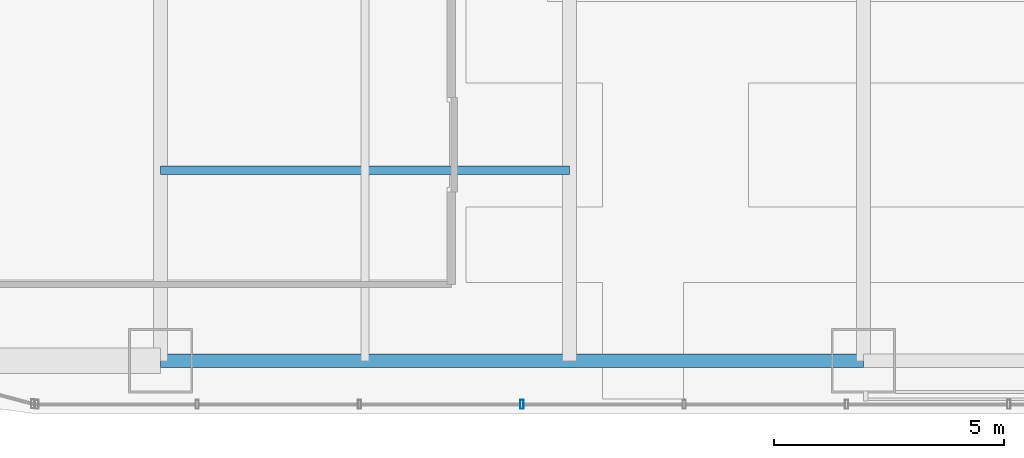
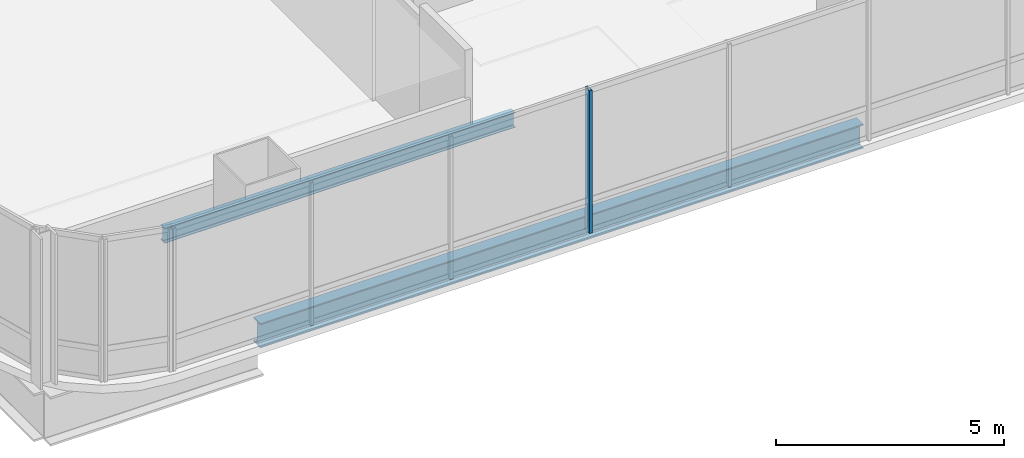
# One storey, part 3 of 38: 2 beams, 1 member, 1 element without a shape of its own.
"""IFC4 building model written with IfcOpenShell, lengths in metres."""

from ifc_helpers import new_model, si_unit, direction, frame, origin, origin_2d, place, context, subcontext, project, spatial, hollow_rectangle, i_section, extrude, material, material_profile, profile_set, type_object, element, aggregate, save


model = new_model("IFC4")

# Units and contexts
model_context = context("Model", 3, precision=1e-05, world=origin(), true_north=direction((0.0, 1.0)))
body_context = subcontext(model_context, "Body", "Model", "MODEL_VIEW")
ifc_project = project(units=[si_unit("LENGTHUNIT", "METRE"), si_unit("AREAUNIT", "SQUARE_METRE"), si_unit("VOLUMEUNIT", "CUBIC_METRE"), si_unit("PLANEANGLEUNIT", "RADIAN"), si_unit("MASSUNIT", "GRAM", prefix="KILO")], contexts=[model_context])

# Site, building, storey
site_placement = place(None, origin())
site = spatial("IfcSite", under=ifc_project, at=site_placement, CompositionType="ELEMENT")
building_placement = place(site_placement, origin())
building = spatial("IfcBuilding", under=site, at=building_placement, Name="Punatoya Terracotta Tower", CompositionType="ELEMENT")
storey_placement = place(building_placement, frame((0.0, 0.0, 147.89990234375)))
storey = spatial("IfcBuildingStorey", under=building, at=storey_placement, Name="L34", CompositionType="ELEMENT", Elevation=147.89990234375)

# Beams
ifc_material_1 = material(Name="Steel S355", Category="steel")
ifc_material_profile_1 = material_profile(ifc_material_1, i_section(OverallWidth=0.300048828125, OverallDepth=0.64990234375, WebThickness=0.01611328125, FlangeThickness=0.031005859375, FilletRadius=0.01806640625, at=origin_2d()))
ifc_profile_set_1 = profile_set([ifc_material_profile_1], Name="Steel S355")
beam_type_1 = type_object("IfcBeamType", Name="BM-PRI-650", PredefinedType="BEAM", material=ifc_profile_set_1)
beam_1_placement = place(storey_placement, frame((-19.10009765625, -17.5, -0.544921875), z_axis=(1.0, 0.0, 0.0), x_axis=(0.0, 1.0, 0.0)))
element("IfcBeam", 1, at=beam_1_placement, inside=storey, type_object=beam_type_1, Name="BM-L34-RG-S1", PredefinedType="BEAM", context=body_context, shape_type="SweptSolid", body=[
    extrude(i_section(OverallWidth=0.300048828125, OverallDepth=0.64990234375, WebThickness=0.01611328125, FlangeThickness=0.031005859375, FilletRadius=0.01806640625, at=origin_2d()), origin(), (0.0, 0.0, 1.0), 15.300048828125),
])
ifc_material_profile_2 = material_profile(ifc_material_1, i_section(OverallWidth=0.179931640625, OverallDepth=0.39990234375, WebThickness=0.008544921875, FlangeThickness=0.013427734375, FilletRadius=0.01806640625, at=origin_2d()))
ifc_profile_set_2 = profile_set([ifc_material_profile_2], Name="Steel S355")
beam_type_2 = type_object("IfcBeamType", Name="BM-SEC-400", PredefinedType="JOIST", material=ifc_profile_set_2)
beam_2_placement = place(storey_placement, frame((-19.10009765625, -13.35009765625, -0.419921875), z_axis=(1.0, 0.0, 0.0), x_axis=(0.0, 1.0, 0.0)))
element("IfcBeam", 2, at=beam_2_placement, inside=storey, type_object=beam_type_2, Name="BM-L34-SJS-1", PredefinedType="JOIST", context=body_context, shape_type="SweptSolid", body=[
    extrude(i_section(OverallWidth=0.179931640625, OverallDepth=0.39990234375, WebThickness=0.008544921875, FlangeThickness=0.013427734375, FilletRadius=0.01806640625, at=origin_2d()), origin(), (0.0, 0.0, 1.0), 8.900146484375),
])

# Curtain wall, member
ifc_material_2 = material(Name="Aluminium 6063-T6 + Double Low-E Glass", Category="aluminium")
curtain_wall_type = type_object("IfcCurtainWallType", Name="CW-M2", PredefinedType="NOTDEFINED", material=ifc_material_2)
curtain_wall_placement = place(storey_placement, origin())
curtain_wall = element("IfcCurtainWall", 3, at=curtain_wall_placement, inside=storey, type_object=curtain_wall_type, Name="L34 Curtain Wall CW-L34-S01-1", PredefinedType="NOTDEFINED")
ifc_material_3 = material(Name="Aluminium 6063-T6", Category="aluminium")
ifc_material_profile_3 = material_profile(ifc_material_3, hollow_rectangle(XDim=0.072021484375, YDim=0.195068359375, WallThickness=0.00439453125, at=origin_2d()))
ifc_profile_set_3 = profile_set([ifc_material_profile_3], Name="Aluminium 6063-T6")
member_type = type_object("IfcMemberType", Name="CW-MUL-M2", PredefinedType="MULLION", material=ifc_profile_set_3)
member_placement = place(storey_placement, frame((-11.235107421875, -18.449951171875, 0.0), z_axis=(0.0, 0.0, 1.0), x_axis=(1.0, 0.0, 0.0)))
member = element("IfcMember", 4, at=member_placement, type_object=member_type, Name="CW-L34-S01-1 Mullion 03", PredefinedType="MULLION", context=body_context, shape_type="SweptSolid", body=[
    extrude(hollow_rectangle(XDim=0.072021484375, YDim=0.195068359375, WallThickness=0.00439453125, at=origin_2d()), origin(), (0.0, 0.0, 1.0), 3.830078125),
])
aggregate(curtain_wall, [member])

save(model, "model.ifc")
